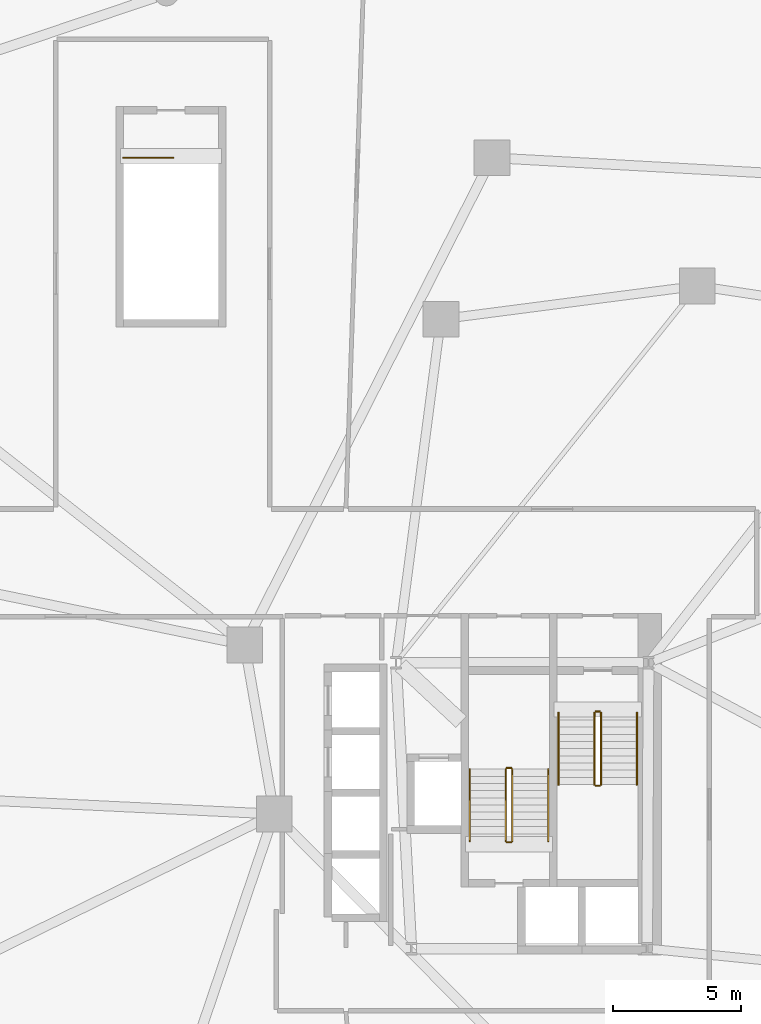
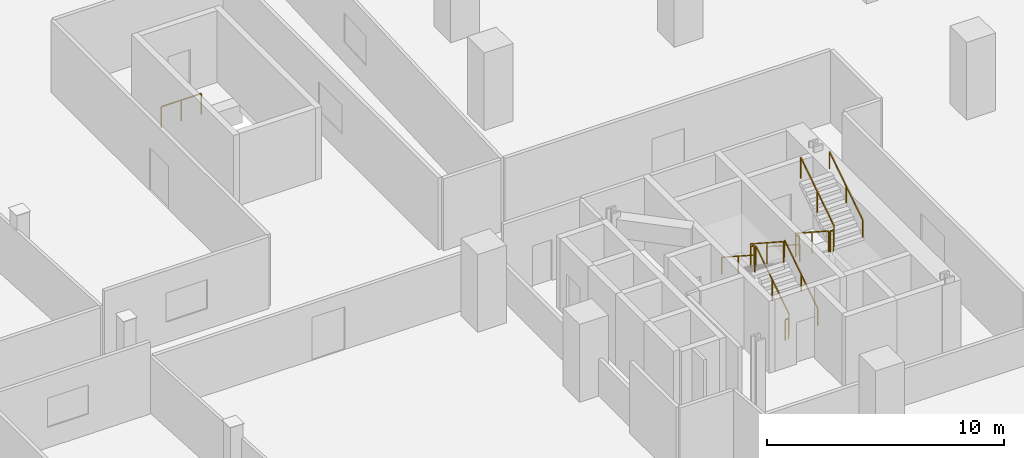
# One storey, part 18 of 18: 13 railings.
"""IFC4 building model written with IfcOpenShell, lengths in metres."""

from ifc_helpers import new_model, si_unit, direction, frame, origin, origin_2d, place, context, subcontext, project, spatial, rectangle, extrude, material, type_object, element, save


model = new_model("IFC4")

# Units and contexts
model_context = context("Model", 3, precision=1e-05, world=origin(), true_north=direction((0.0, 1.0)))
body_context = subcontext(model_context, "Body", "Model", "MODEL_VIEW")
ifc_project = project(units=[si_unit("LENGTHUNIT", "METRE"), si_unit("AREAUNIT", "SQUARE_METRE"), si_unit("VOLUMEUNIT", "CUBIC_METRE"), si_unit("PLANEANGLEUNIT", "RADIAN"), si_unit("MASSUNIT", "GRAM", prefix="KILO"), si_unit("THERMODYNAMICTEMPERATUREUNIT", "KELVIN"), si_unit("POWERUNIT", "WATT")], contexts=[model_context])

# Site, building, storey
site_placement = place(None, origin())
site = spatial("IfcSite", under=ifc_project, at=site_placement, CompositionType="ELEMENT")
building_placement = place(site_placement, origin())
building = spatial("IfcBuilding", under=site, at=building_placement, Name="Cundina Bronze Exchange", CompositionType="ELEMENT")
storey_placement = place(building_placement, frame((0.0, 0.0, 20.0)))
storey = spatial("IfcBuildingStorey", under=building, at=storey_placement, Name="L04", CompositionType="ELEMENT", Elevation=20.0)

# Railings
ifc_material = material(Name="Steel ASTM A36 Painted", Category="steel")
railing_type_1 = type_object("IfcRailingType", Name="RLG-HND-900", PredefinedType="HANDRAIL", material=ifc_material)
railing_1_placement = place(storey_placement, frame((27.7900390625, -5.85009765625, 0.181884765625)))
element("IfcRailing", 1, at=railing_1_placement, inside=storey, type_object=railing_type_1, Name="L04 ST-E1 stair handrail 1", PredefinedType="HANDRAIL", context=body_context, shape_type="SweptSolid", body=[
    extrude(rectangle(XDim=0.048095703125, YDim=0.048095703125, at=origin_2d()), frame((0.0, 0.0, 0.8759765625), z_axis=(0.0, -0.83868413941, 0.544618136222), x_axis=(1.0, 0.0, 0.0)), (0.0, 0.0, 1.0), 3.33837890625),
    extrude(rectangle(XDim=0.0419921875, YDim=0.0419921875, at=origin_2d()), origin(), (0.0, 0.0, 1.0), 0.851806640625),
    extrude(rectangle(XDim=0.0419921875, YDim=0.0419921875, at=origin_2d()), frame((0.0, -1.39990234375, 0.9091796875)), (0.0, 0.0, 1.0), 0.851806640625),
    extrude(rectangle(XDim=0.0419921875, YDim=0.0419921875, at=origin_2d()), frame((0.0, -2.7998046875, 1.818115234375)), (0.0, 0.0, 1.0), 0.851806640625),
])
railing_2_placement = place(storey_placement, frame((30.85009765625, -8.64990234375, 2.181884765625)))
element("IfcRailing", 2, at=railing_2_placement, inside=storey, type_object=railing_type_1, Name="L04 ST-E1 stair handrail 2", PredefinedType="HANDRAIL", context=body_context, shape_type="SweptSolid", body=[
    extrude(rectangle(XDim=0.048095703125, YDim=0.048095703125, at=origin_2d()), frame((0.0, 0.0, 0.8759765625), z_axis=(0.0, 0.83868413941, 0.544618136222), x_axis=(-1.0, 0.0, 0.0)), (0.0, 0.0, 1.0), 3.33837890625),
    extrude(rectangle(XDim=0.0419921875, YDim=0.0419921875, at=origin_2d()), origin(), (0.0, 0.0, 1.0), 0.851806640625),
    extrude(rectangle(XDim=0.0419921875, YDim=0.0419921875, at=origin_2d()), frame((0.0, 1.39990234375, 0.9091796875)), (0.0, 0.0, 1.0), 0.851806640625),
    extrude(rectangle(XDim=0.0419921875, YDim=0.0419921875, at=origin_2d()), frame((0.0, 2.7998046875, 1.818115234375)), (0.0, 0.0, 1.0), 0.851806640625),
])
railing_3_placement = place(storey_placement, frame((27.389892578125, -10.85009765625, 0.181884765625)))
element("IfcRailing", 3, at=railing_3_placement, inside=storey, type_object=railing_type_1, Name="L04 ST-E2 stair handrail 1", PredefinedType="HANDRAIL", context=body_context, shape_type="SweptSolid", body=[
    extrude(rectangle(XDim=0.048095703125, YDim=0.048095703125, at=origin_2d()), frame((0.0, 0.0, 0.8759765625), z_axis=(0.0, 0.838705829183, 0.544584733623), x_axis=(-1.0, 0.0, 0.0)), (0.0, 0.0, 1.0), 3.338623046875),
    extrude(rectangle(XDim=0.0419921875, YDim=0.0419921875, at=origin_2d()), origin(), (0.0, 0.0, 1.0), 0.851806640625),
    extrude(rectangle(XDim=0.0419921875, YDim=0.0419921875, at=origin_2d()), frame((0.0, 1.39990234375, 0.9091796875)), (0.0, 0.0, 1.0), 0.851806640625),
    extrude(rectangle(XDim=0.0419921875, YDim=0.0419921875, at=origin_2d()), frame((0.0, 2.800048828125, 1.818115234375)), (0.0, 0.0, 1.0), 0.851806640625),
])
railing_4_placement = place(storey_placement, frame((24.330078125, -8.050048828125, 2.181884765625)))
element("IfcRailing", 4, at=railing_4_placement, inside=storey, type_object=railing_type_1, Name="L04 ST-E2 stair handrail 2", PredefinedType="HANDRAIL", context=body_context, shape_type="SweptSolid", body=[
    extrude(rectangle(XDim=0.048095703125, YDim=0.048095703125, at=origin_2d()), frame((0.0, 0.0, 0.8759765625), z_axis=(0.0, -0.838705829183, 0.544584733623), x_axis=(1.0, 0.0, 0.0)), (0.0, 0.0, 1.0), 3.338623046875),
    extrude(rectangle(XDim=0.0419921875, YDim=0.0419921875, at=origin_2d()), origin(), (0.0, 0.0, 1.0), 0.851806640625),
    extrude(rectangle(XDim=0.0419921875, YDim=0.0419921875, at=origin_2d()), frame((0.0, -1.39990234375, 0.9091796875)), (0.0, 0.0, 1.0), 0.851806640625),
    extrude(rectangle(XDim=0.0419921875, YDim=0.0419921875, at=origin_2d()), frame((0.0, -2.800048828125, 1.818115234375)), (0.0, 0.0, 1.0), 0.851806640625),
])
railing_type_2 = type_object("IfcRailingType", Name="RLG-STG-1100", PredefinedType="GUARDRAIL", material=ifc_material)
railing_5_placement = place(storey_placement, frame((29.18994140625, -5.85009765625, 0.181884765625)))
element("IfcRailing", 5, at=railing_5_placement, inside=storey, type_object=railing_type_2, Name="L04 ST-E1 stair guard 1", PredefinedType="GUARDRAIL", context=body_context, shape_type="SweptSolid", body=[
    extrude(rectangle(XDim=0.048095703125, YDim=0.048095703125, at=origin_2d()), frame((0.0, 0.0, 1.076171875), z_axis=(0.0, -0.83868413941, 0.544618136222), x_axis=(1.0, 0.0, 0.0)), (0.0, 0.0, 1.0), 3.33837890625),
    extrude(rectangle(XDim=0.0419921875, YDim=0.0419921875, at=origin_2d()), origin(), (0.0, 0.0, 1.0), 1.052001953125),
    extrude(rectangle(XDim=0.0419921875, YDim=0.0419921875, at=origin_2d()), frame((0.0, -1.39990234375, 0.9091796875)), (0.0, 0.0, 1.0), 1.052001953125),
    extrude(rectangle(XDim=0.0419921875, YDim=0.0419921875, at=origin_2d()), frame((0.0, -2.7998046875, 1.818115234375)), (0.0, 0.0, 1.0), 1.052001953125),
])
railing_6_placement = place(storey_placement, frame((29.239990234375, -8.699951171875, 2.0)))
element("IfcRailing", 6, at=railing_6_placement, inside=storey, type_object=railing_type_2, Name="L04 ST-E1 stair guard 2", PredefinedType="GUARDRAIL", context=body_context, shape_type="SweptSolid", body=[
    extrude(rectangle(XDim=0.048095703125, YDim=0.048095703125, at=origin_2d()), frame((0.0, 0.0, 1.076171875), z_axis=(1.0, 0.0, 0.0), x_axis=(0.0, 1.0, 0.0)), (0.0, 0.0, 1.0), 0.159912109375),
    extrude(rectangle(XDim=0.0419921875, YDim=0.0419921875, at=origin_2d()), origin(), (0.0, 0.0, 1.0), 1.052001953125),
    extrude(rectangle(XDim=0.0419921875, YDim=0.0419921875, at=origin_2d()), frame((0.159912109375, 0.0, 0.0)), (0.0, 0.0, 1.0), 1.052001953125),
])
railing_7_placement = place(storey_placement, frame((29.449951171875, -8.64990234375, 2.181884765625)))
element("IfcRailing", 7, at=railing_7_placement, inside=storey, type_object=railing_type_2, Name="L04 ST-E1 stair guard 3", PredefinedType="GUARDRAIL", context=body_context, shape_type="SweptSolid", body=[
    extrude(rectangle(XDim=0.048095703125, YDim=0.048095703125, at=origin_2d()), frame((0.0, 0.0, 1.076171875), z_axis=(0.0, 0.83868413941, 0.544618136222), x_axis=(-1.0, 0.0, 0.0)), (0.0, 0.0, 1.0), 3.33837890625),
    extrude(rectangle(XDim=0.0419921875, YDim=0.0419921875, at=origin_2d()), origin(), (0.0, 0.0, 1.0), 1.052001953125),
    extrude(rectangle(XDim=0.0419921875, YDim=0.0419921875, at=origin_2d()), frame((0.0, 1.39990234375, 0.9091796875)), (0.0, 0.0, 1.0), 1.052001953125),
    extrude(rectangle(XDim=0.0419921875, YDim=0.0419921875, at=origin_2d()), frame((0.0, 2.7998046875, 1.818115234375)), (0.0, 0.0, 1.0), 1.052001953125),
])
railing_8_placement = place(storey_placement, frame((29.239990234375, -5.800048828125, 0.0)))
element("IfcRailing", 8, at=railing_8_placement, inside=storey, type_object=railing_type_2, Name="L04 ST-E1 stair guard 4", PredefinedType="GUARDRAIL", context=body_context, shape_type="SweptSolid", body=[
    extrude(rectangle(XDim=0.048095703125, YDim=0.048095703125, at=origin_2d()), frame((0.0, 0.0, 1.076171875), z_axis=(1.0, 0.0, 0.0), x_axis=(0.0, 1.0, 0.0)), (0.0, 0.0, 1.0), 0.159912109375),
    extrude(rectangle(XDim=0.0419921875, YDim=0.0419921875, at=origin_2d()), origin(), (0.0, 0.0, 1.0), 1.052001953125),
    extrude(rectangle(XDim=0.0419921875, YDim=0.0419921875, at=origin_2d()), frame((0.159912109375, 0.0, 0.0)), (0.0, 0.0, 1.0), 1.052001953125),
])
railing_9_placement = place(storey_placement, frame((25.989990234375, -10.85009765625, 0.181884765625)))
element("IfcRailing", 9, at=railing_9_placement, inside=storey, type_object=railing_type_2, Name="L04 ST-E2 stair guard 1", PredefinedType="GUARDRAIL", context=body_context, shape_type="SweptSolid", body=[
    extrude(rectangle(XDim=0.048095703125, YDim=0.048095703125, at=origin_2d()), frame((0.0, 0.0, 1.076171875), z_axis=(0.0, 0.838705829183, 0.544584733623), x_axis=(-1.0, 0.0, 0.0)), (0.0, 0.0, 1.0), 3.338623046875),
    extrude(rectangle(XDim=0.0419921875, YDim=0.0419921875, at=origin_2d()), origin(), (0.0, 0.0, 1.0), 1.052001953125),
    extrude(rectangle(XDim=0.0419921875, YDim=0.0419921875, at=origin_2d()), frame((0.0, 1.39990234375, 0.9091796875)), (0.0, 0.0, 1.0), 1.052001953125),
    extrude(rectangle(XDim=0.0419921875, YDim=0.0419921875, at=origin_2d()), frame((0.0, 2.800048828125, 1.818115234375)), (0.0, 0.0, 1.0), 1.052001953125),
])
railing_10_placement = place(storey_placement, frame((25.93994140625, -8.0, 2.0)))
element("IfcRailing", 10, at=railing_10_placement, inside=storey, type_object=railing_type_2, Name="L04 ST-E2 stair guard 2", PredefinedType="GUARDRAIL", context=body_context, shape_type="SweptSolid", body=[
    extrude(rectangle(XDim=0.048095703125, YDim=0.048095703125, at=origin_2d()), frame((0.0, 0.0, 1.076171875), z_axis=(-1.0, 0.0, 0.0), x_axis=(0.0, -1.0, 0.0)), (0.0, 0.0, 1.0), 0.159912109375),
    extrude(rectangle(XDim=0.0419921875, YDim=0.0419921875, at=origin_2d()), origin(), (0.0, 0.0, 1.0), 1.052001953125),
    extrude(rectangle(XDim=0.0419921875, YDim=0.0419921875, at=origin_2d()), frame((-0.159912109375, 0.0, 0.0)), (0.0, 0.0, 1.0), 1.052001953125),
])
railing_11_placement = place(storey_placement, frame((25.72998046875, -8.050048828125, 2.181884765625)))
element("IfcRailing", 11, at=railing_11_placement, inside=storey, type_object=railing_type_2, Name="L04 ST-E2 stair guard 3", PredefinedType="GUARDRAIL", context=body_context, shape_type="SweptSolid", body=[
    extrude(rectangle(XDim=0.048095703125, YDim=0.048095703125, at=origin_2d()), frame((0.0, 0.0, 1.076171875), z_axis=(0.0, -0.838705829183, 0.544584733623), x_axis=(1.0, 0.0, 0.0)), (0.0, 0.0, 1.0), 3.338623046875),
    extrude(rectangle(XDim=0.0419921875, YDim=0.0419921875, at=origin_2d()), origin(), (0.0, 0.0, 1.0), 1.052001953125),
    extrude(rectangle(XDim=0.0419921875, YDim=0.0419921875, at=origin_2d()), frame((0.0, -1.39990234375, 0.9091796875)), (0.0, 0.0, 1.0), 1.052001953125),
    extrude(rectangle(XDim=0.0419921875, YDim=0.0419921875, at=origin_2d()), frame((0.0, -2.800048828125, 1.818115234375)), (0.0, 0.0, 1.0), 1.052001953125),
])
railing_12_placement = place(storey_placement, frame((25.93994140625, -10.89990234375, 0.0)))
element("IfcRailing", 12, at=railing_12_placement, inside=storey, type_object=railing_type_2, Name="L04 ST-E2 stair guard 4", PredefinedType="GUARDRAIL", context=body_context, shape_type="SweptSolid", body=[
    extrude(rectangle(XDim=0.048095703125, YDim=0.048095703125, at=origin_2d()), frame((0.0, 0.0, 1.076171875), z_axis=(-1.0, 0.0, 0.0), x_axis=(0.0, -1.0, 0.0)), (0.0, 0.0, 1.0), 0.159912109375),
    extrude(rectangle(XDim=0.0419921875, YDim=0.0419921875, at=origin_2d()), origin(), (0.0, 0.0, 1.0), 1.052001953125),
    extrude(rectangle(XDim=0.0419921875, YDim=0.0419921875, at=origin_2d()), frame((-0.159912109375, 0.0, 0.0)), (0.0, 0.0, 1.0), 1.052001953125),
])
railing_13_placement = place(storey_placement, frame((10.820068359375, 15.800048828125, 0.0)))
element("IfcRailing", 13, at=railing_13_placement, inside=storey, type_object=railing_type_2, Name="L04 ST-PE top well guard 1", PredefinedType="GUARDRAIL", context=body_context, shape_type="SweptSolid", body=[
    extrude(rectangle(XDim=0.048095703125, YDim=0.048095703125, at=origin_2d()), frame((0.0, 0.0, 1.076171875), z_axis=(1.0, 0.0, 0.0), x_axis=(0.0, 1.0, 0.0)), (0.0, 0.0, 1.0), 1.949951171875),
    extrude(rectangle(XDim=0.0419921875, YDim=0.0419921875, at=origin_2d()), origin(), (0.0, 0.0, 1.0), 1.052001953125),
    extrude(rectangle(XDim=0.0419921875, YDim=0.0419921875, at=origin_2d()), frame((0.97509765625, 0.0, 0.0)), (0.0, 0.0, 1.0), 1.052001953125),
    extrude(rectangle(XDim=0.0419921875, YDim=0.0419921875, at=origin_2d()), frame((1.949951171875, 0.0, 0.0)), (0.0, 0.0, 1.0), 1.052001953125),
])

save(model, "model.ifc")
